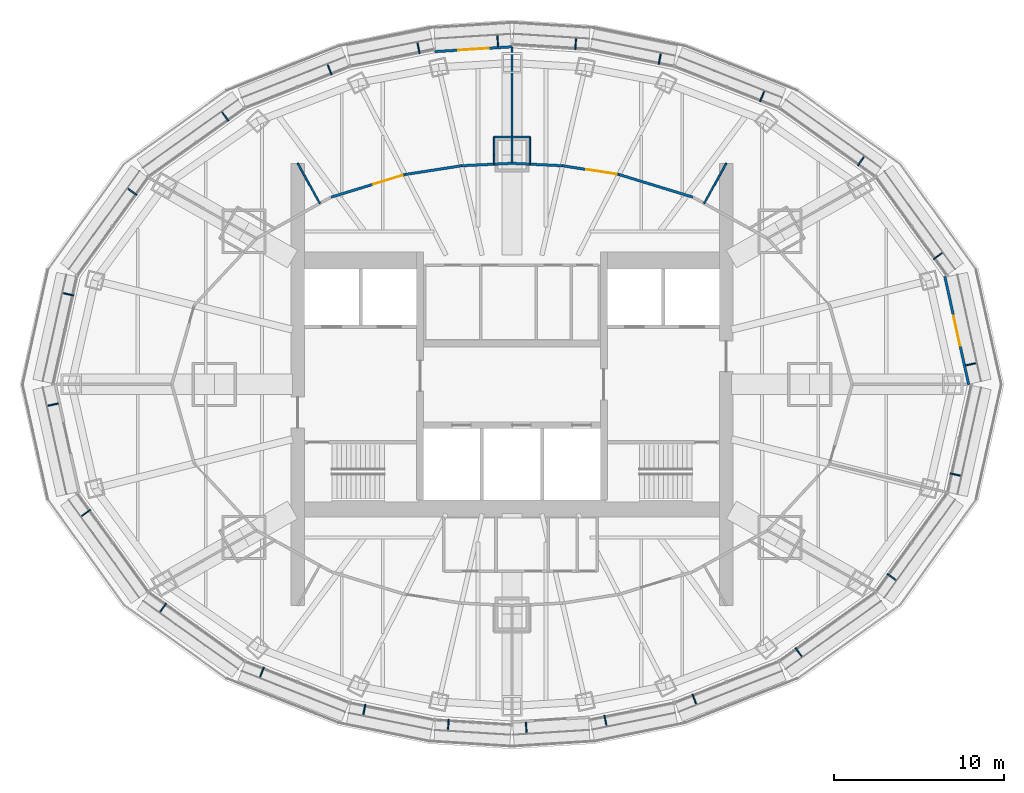
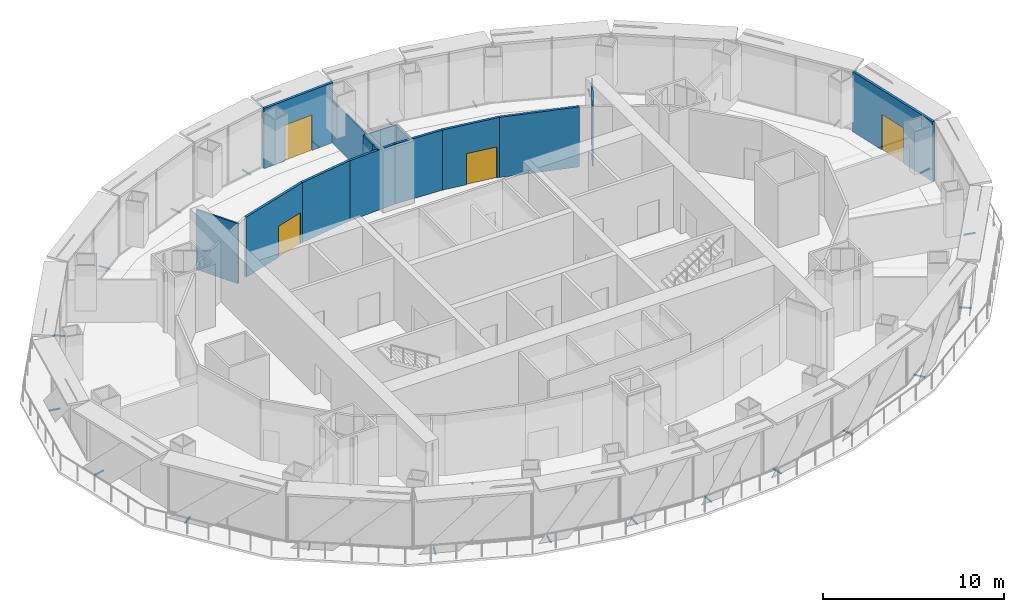
# One storey, part 13 of 17: 24 discrete accessories, 16 walls, 4 doors, 4 openings.
"""IFC4 building model written with IfcOpenShell, lengths in metres."""

import ifcopenshell
import ifcopenshell.guid

model = None  # the IFC model being written
_history = None  # IfcOwnerHistory: only IFC2X3 demands one
_inside = {}  # id of a spatial element -> (the spatial element, [elements in it])
_under = {}  # id of a project, library or spatial element -> (it, [spatial elements below it])
_declared = {}  # id of a project -> (the project, [libraries it declares])
_typed = {}  # id of a type object -> (the type object, [elements of that type])
_made_of = {}  # id of a material, layer set ... -> (it, [elements and type objects made of it])


def new_model(schema):
    """Start an empty IFC model of exactly this schema.

    Asked for "IFC4X3", IfcOpenShell would pick the latest addendum, in which some entities
    have other attributes; the version numbers below select the first issue.
    IFC2X3 requires an IfcOwnerHistory on every rooted entity: one is made here for all.
    """
    global model, _history
    if schema == "IFC4X3":
        model = ifcopenshell.file(schema_version=(4, 3, 0, 0))
    else:
        model = ifcopenshell.file(schema=schema)
    _inside.clear()
    _under.clear()
    _declared.clear()
    _typed.clear()
    _made_of.clear()
    _history = None
    if model.schema == "IFC2X3":
        org = make("IfcOrganization", Name="unknown")
        user = make(
            "IfcPersonAndOrganization",
            ThePerson=make("IfcPerson", FamilyName="unknown"),
            TheOrganization=org,
        )
        app = make(
            "IfcApplication",
            ApplicationDeveloper=org,
            Version="unknown",
            ApplicationFullName="unknown",
            ApplicationIdentifier="unknown",
        )
        _history = make(
            "IfcOwnerHistory",
            OwningUser=user,
            OwningApplication=app,
            ChangeAction="ADDED",
            CreationDate=0,
        )
    return model


def make(cls, **values):
    """One entity of the class cls with the attributes given. An attribute that is None is left unset."""
    return model.create_entity(
        cls, **{name: value for name, value in values.items() if value is not None}
    )


def rooted(cls, **values):
    """An entity with a GlobalId (a new one), such as an element, a storey or a relation."""
    return make(cls, GlobalId=ifcopenshell.guid.new(), OwnerHistory=_history, **values)


def si_unit(unit_type, name, prefix=None):
    """IfcSIUnit, for example si_unit("LENGTHUNIT", "METRE", prefix="MILLI")."""
    return make("IfcSIUnit", UnitType=unit_type, Prefix=prefix, Name=name)


def assignment(units):
    """IfcUnitAssignment: the units of a project."""
    return None if units is None else make("IfcUnitAssignment", Units=units)


def point(xyz):
    """IfcCartesianPoint."""
    return None if xyz is None else make("IfcCartesianPoint", Coordinates=xyz)


def direction(xyz):
    """IfcDirection."""
    return None if xyz is None else make("IfcDirection", DirectionRatios=xyz)


def frame(location, z_axis=None, x_axis=None):
    """IfcAxis2Placement3D, a coordinate frame: its origin and axes. An axis left out is left unset."""
    return make(
        "IfcAxis2Placement3D",
        Location=point(location),
        Axis=direction(z_axis),
        RefDirection=direction(x_axis),
    )


def frame_2d(location, x_axis=None):
    """IfcAxis2Placement2D, a coordinate frame in the plane: its origin and x axis."""
    return make(
        "IfcAxis2Placement2D", Location=point(location), RefDirection=direction(x_axis)
    )


def origin():
    """The frame at (0, 0, 0) with its axes left unset."""
    return frame((0.0, 0.0, 0.0))


def origin_2d():
    """The frame at (0, 0) in the plane with its x axis left unset."""
    return frame_2d((0.0, 0.0))


def place(relative_to, where):
    """IfcLocalPlacement: puts the frame where relative to a parent placement (None: the world)."""
    return make(
        "IfcLocalPlacement", PlacementRelTo=relative_to, RelativePlacement=where
    )


def context(
    kind, dimensions, precision=None, world=None, true_north=None, identifier=None
):
    """IfcGeometricRepresentationContext, for example the 3D "Model" context."""
    return make(
        "IfcGeometricRepresentationContext",
        ContextIdentifier=identifier,
        ContextType=kind,
        CoordinateSpaceDimension=dimensions,
        Precision=precision,
        WorldCoordinateSystem=world,
        TrueNorth=true_north,
    )


def subcontext(parent, identifier, kind, view, scale=None):
    """IfcGeometricRepresentationSubContext, for example "Body" below "Model"."""
    return make(
        "IfcGeometricRepresentationSubContext",
        ContextIdentifier=identifier,
        ContextType=kind,
        ParentContext=parent,
        TargetScale=scale,
        TargetView=view,
    )


def project(units=None, contexts=None):
    """IfcProject with its units and contexts."""
    return rooted(
        "IfcProject",
        Name="project",
        RepresentationContexts=contexts,
        UnitsInContext=assignment(units),
    )


def spatial(cls, under=None, at=None, **own):
    """A site, building, storey or space (cls), placed at a placement, below another one or the project."""
    s = rooted(cls, ObjectPlacement=at, **own)
    if under is not None:
        _under.setdefault(under.id(), (under, []))[1].append(s)
    return s


def profile(cls, at=None, kind="AREA", **sizes):
    """A parametric profile (cls). Its sizes go by their IFC names, for example OverallWidth=200.0."""
    return make(cls, ProfileType=kind, Position=at, **sizes)


def rectangle(**sizes):
    """IfcRectangleProfileDef."""
    return profile("IfcRectangleProfileDef", **sizes)


def extrude(swept, where, along, depth):
    """IfcExtrudedAreaSolid: the profile swept, set in the frame where, extruded along a direction by depth."""
    return make(
        "IfcExtrudedAreaSolid",
        SweptArea=swept,
        Position=where,
        ExtrudedDirection=direction(along),
        Depth=depth,
    )


def shape(context_of_items, identifier, shape_type, items):
    """IfcShapeRepresentation: the items that make up one representation, for example the "Body"."""
    return make(
        "IfcShapeRepresentation",
        ContextOfItems=context_of_items,
        RepresentationIdentifier=identifier,
        RepresentationType=shape_type,
        Items=items,
    )


def material(Name=None, Category=None):
    """IfcMaterial."""
    return make("IfcMaterial", Name=Name, Category=Category)


def layer(
    of_material, thickness, ventilated=None, Name=None, Category=None, Priority=None
):
    """IfcMaterialLayer: one layer of a wall or slab, of a material (None: an air gap)."""
    return make(
        "IfcMaterialLayer",
        Material=of_material,
        LayerThickness=thickness,
        IsVentilated=ventilated,
        Name=Name,
        Category=Category,
        Priority=Priority,
    )


def layer_set(layers, Name=None):
    """IfcMaterialLayerSet."""
    return make("IfcMaterialLayerSet", MaterialLayers=layers, LayerSetName=Name)


def made_of(thing, what):
    """Note that an element or type object is made of a material, layer set ...; save() writes the relation."""
    if what is not None:
        _made_of.setdefault(what.id(), (what, []))[1].append(thing)
    return thing


def type_object(cls, material=None, **own):
    """A type object (cls), such as IfcWallType, which elements share."""
    return made_of(rooted(cls, **own), material)


def element(
    cls,
    number,
    at=None,
    inside=None,
    cuts=None,
    type_object=None,
    material=None,
    context=None,
    identifier="Body",
    shape_type=None,
    held_by="IfcProductDefinitionShape",
    body=None,
    shapes=None,
    **own,
):
    """One element of the class cls, such as IfcWall. Its Tag is "e" and its number.

    at: its placement. inside: the storey or other place that contains it. cuts: it is an
    opening in that element (IfcRelVoidsElement). A single representation is given by context,
    identifier, shape_type and body (its items); several are given by shapes. held_by: the class
    of the entity that holds the representations. save() writes the other relations.
    """
    e = rooted(cls, Tag="e%d" % number, ObjectPlacement=at, **own)
    if body is not None:
        shapes = [shape(context, identifier, shape_type, body)]
    if shapes is not None:
        e.Representation = make(held_by, Representations=shapes)
    if inside is not None:
        _inside.setdefault(inside.id(), (inside, []))[1].append(e)
    if cuts is not None:
        rooted(
            "IfcRelVoidsElement", RelatingBuildingElement=cuts, RelatedOpeningElement=e
        )
    if type_object is not None:
        _typed.setdefault(type_object.id(), (type_object, []))[1].append(e)
    return made_of(e, material)


def fill(opening, filler):
    """IfcRelFillsElement: the door or window that sits in an opening."""
    return rooted(
        "IfcRelFillsElement",
        RelatingOpeningElement=opening,
        RelatedBuildingElement=filler,
    )


def aggregate(whole, parts):
    """IfcRelAggregates: a whole, such as a stair, and the parts it consists of."""
    return rooted("IfcRelAggregates", RelatingObject=whole, RelatedObjects=parts)


def save(model, path):
    """Write the relations noted so far, then the file.

    IfcRelAggregates (storeys below a building ...), IfcRelContainedInSpatialStructure (elements
    in a storey), IfcRelDefinesByType, IfcRelAssociatesMaterial and IfcRelDeclares: one each for
    every whole, place, type object, material and project.
    """
    for whole, parts in _under.values():
        aggregate(whole, parts)
    for where, things in _inside.values():
        rooted(
            "IfcRelContainedInSpatialStructure",
            RelatedElements=things,
            RelatingStructure=where,
        )
    for kind, things in _typed.values():
        rooted("IfcRelDefinesByType", RelatedObjects=things, RelatingType=kind)
    for what, things in _made_of.values():
        rooted("IfcRelAssociatesMaterial", RelatedObjects=things, RelatingMaterial=what)
    for by, libraries in _declared.values():
        rooted("IfcRelDeclares", RelatingContext=by, RelatedDefinitions=libraries)
    model.write(path)


model = new_model("IFC4")

# Units and contexts
model_context = context("Model", 3, precision=1e-05, world=origin(), true_north=direction((0.0, 1.0)))
body_context = subcontext(model_context, "Body", "Model", "MODEL_VIEW")
ifc_project = project(units=[si_unit("LENGTHUNIT", "METRE"), si_unit("AREAUNIT", "SQUARE_METRE"), si_unit("VOLUMEUNIT", "CUBIC_METRE"), si_unit("PLANEANGLEUNIT", "RADIAN"), si_unit("MASSUNIT", "GRAM", prefix="KILO")], contexts=[model_context])

# Site, building, storey
site_placement = place(None, origin())
site = spatial("IfcSite", under=ifc_project, at=site_placement, CompositionType="ELEMENT")
building_placement = place(site_placement, origin())
building = spatial("IfcBuilding", under=site, at=building_placement, Name="Lantaw Convention Tower", CompositionType="ELEMENT")
storey_placement = place(building_placement, frame((0.0, 0.0, 199.0)))
storey = spatial("IfcBuildingStorey", under=building, at=storey_placement, Name="L46", CompositionType="ELEMENT", Elevation=199.0)

# Walls
ifc_material_1 = material(Name="Fire-rated board casing on steel studs", Category="steel")
ifc_layer_1 = layer(ifc_material_1, 0.10009765625)
ifc_layer_set_1 = layer_set([ifc_layer_1], Name="Casing wall 100 EI 120")
wall_type_1 = type_object("IfcWallType", Name="Casing wall 100 EI 120", PredefinedType="PARTITIONING", material=ifc_layer_set_1)
wall_1_placement = place(storey_placement, frame((-1.050048828125, 12.948974609375, 0.0), z_axis=(0.0, 0.0, 1.0), x_axis=(0.0, 1.0, 0.0)))
element("IfcWall", 1, at=wall_1_placement, inside=storey, type_object=wall_type_1, Name="Casing wall 100", PredefinedType="PARTITIONING", context=body_context, shape_type="SweptSolid", body=[
    extrude(rectangle(XDim=0.551025390625, YDim=0.10009765625, at=frame_2d((0.275390625, 0.0))), origin(), (0.0, 0.0, 1.0), 4.050048828125),
])
for number, where, z_axis, x_axis, name in (
    (2, (-1.050048828125, 13.5, 0.0), (0.0, 0.0, 1.0), (0.0, 1.0, 0.0), "Casing wall 100"),
    (3, (-1.050048828125, 14.550048828125, 0.0), (0.0, 0.0, 1.0), (1.0, 0.0, 0.0), "Casing wall 100"),
    (4, (0.0, 14.550048828125, 0.0), (0.0, 0.0, 1.0), (1.0, 0.0, 0.0), "Casing wall 100"),
):
    element("IfcWall", number, at=place(storey_placement, frame(where, z_axis=z_axis, x_axis=x_axis)), inside=storey, type_object=wall_type_1, Name=name, PredefinedType="PARTITIONING", context=body_context, shape_type="SweptSolid", body=[
        extrude(rectangle(XDim=1.050048828125, YDim=0.10009765625, at=frame_2d((0.52490234375, 0.0))), origin(), (0.0, 0.0, 1.0), 4.050048828125),
    ])
wall_2_placement = place(storey_placement, frame((1.050048828125, 14.550048828125, 0.0), z_axis=(0.0, 0.0, 1.0), x_axis=(0.0, -1.0, 0.0)))
element("IfcWall", 5, at=wall_2_placement, inside=storey, type_object=wall_type_1, Name="Casing wall 100", PredefinedType="PARTITIONING", context=body_context, shape_type="SweptSolid", body=[
    extrude(rectangle(XDim=1.60107421875, YDim=0.10009765625, at=frame_2d((0.800537109375, 0.0))), origin(), (0.0, 0.0, 1.0), 4.050048828125),
])
ifc_material_2 = material(Name="Gypsum board on steel studs, fire rated", Category="steel")
ifc_layer_2 = layer(ifc_material_2, 0.14990234375)
ifc_layer_set_2 = layer_set([ifc_layer_2], Name="Corridor wall 150 EI 60")
wall_type_2 = type_object("IfcWallType", Name="Corridor wall 150 EI 60", PredefinedType="PARTITIONING", material=ifc_layer_set_2)
wall_3_placement = place(storey_placement, frame((10.6328125, 11.010498046875, 0.0), z_axis=(0.0, 0.0, 1.0), x_axis=(-0.956185837153, 0.292760388079, 0.0)))
element("IfcWall", 6, at=wall_3_placement, inside=storey, type_object=wall_type_2, Name="Corridor wall 150", PredefinedType="PARTITIONING", context=body_context, shape_type="SweptSolid", body=[
    extrude(rectangle(XDim=4.5439453125, YDim=0.14990234375, at=frame_2d((2.27197265625, 0.0))), origin(), (0.0, 0.0, 1.0), 4.050048828125),
])

# Wall, opening, door
wall_4_placement = place(storey_placement, frame((6.287841796875, 12.3408203125, 0.0), z_axis=(0.0, 0.0, 1.0), x_axis=(-0.988174283057, 0.153334882869, 0.0)))
wall_4 = element("IfcWall", 7, at=wall_4_placement, inside=storey, type_object=wall_type_2, Name="Corridor wall 150", PredefinedType="PARTITIONING", context=body_context, shape_type="SweptSolid", body=[
    extrude(rectangle(XDim=3.359619140625, YDim=0.14990234375, at=frame_2d((1.6796875, 0.0))), origin(), (0.0, 0.0, 1.0), 4.050048828125),
])
opening_1_placement = place(wall_4_placement, frame((0.14990234375, 0.0, 0.0)))
opening_1 = element("IfcOpeningElement", 8, at=opening_1_placement, cuts=wall_4, Name="Opening L46.23", PredefinedType="OPENING", context=body_context, shape_type="SweptSolid", body=[
    extrude(rectangle(XDim=1.800048828125, YDim=2.10009765625, at=frame_2d((0.89990234375, 1.050048828125))), frame((0.0, 0.0849609375, 0.0), z_axis=(0.0, -1.0, 0.0), x_axis=(1.0, 0.0, 0.0)), (0.0, 0.0, 1.0), 0.169921875),
])
ifc_material_3 = material(Name="Steel, fire rated", Category="steel")
door_type_1 = type_object("IfcDoorType", Name="Office double door 1800 FD30", OperationType="DOUBLE_DOOR_DOUBLE_SWING", PredefinedType="DOOR", material=ifc_material_3)
door_1_placement = place(opening_1_placement, origin())
door_1 = element("IfcDoor", 9, at=door_1_placement, inside=storey, type_object=door_type_1, Name="Open office door", OperationType="DOUBLE_DOOR_DOUBLE_SWING", OverallHeight=2.10009765625, OverallWidth=1.800048828125, PredefinedType="DOOR", context=body_context, shape_type="SweptSolid", body=[
    extrude(rectangle(XDim=1.800048828125, YDim=2.10009765625, at=frame_2d((0.89990234375, 1.050048828125))), frame((0.0, 0.02490234375, 0.0), z_axis=(0.0, -1.0, 0.0), x_axis=(1.0, 0.0, 0.0)), (0.0, 0.0, 1.0), 0.050048828125),
])
fill(opening_1, door_1)

# Walls
for number, where, z_axis, x_axis, name in (
    (10, (2.968017578125, 12.85595703125, 0.0), (0.0, 0.0, 1.0), (-0.998824412818, 0.04847465687, 0.0), "Corridor wall 150"),
    (11, (0.0, 13.0, 0.0), (0.0, 0.0, 1.0), (-0.998824412818, -0.04847465687, 0.0), "Corridor wall 150"),
):
    element("IfcWall", number, at=place(storey_placement, frame(where, z_axis=z_axis, x_axis=x_axis)), inside=storey, type_object=wall_type_2, Name=name, PredefinedType="PARTITIONING", context=body_context, shape_type="SweptSolid", body=[
        extrude(rectangle(XDim=2.971435546875, YDim=0.14990234375, at=frame_2d((1.48583984375, 0.0))), origin(), (0.0, 0.0, 1.0), 4.050048828125),
    ])
wall_5_placement = place(storey_placement, frame((-2.968017578125, 12.85595703125, 0.0), z_axis=(0.0, 0.0, 1.0), x_axis=(-0.988174283057, -0.153334882869, 0.0)))
element("IfcWall", 12, at=wall_5_placement, inside=storey, type_object=wall_type_2, Name="Corridor wall 150", PredefinedType="PARTITIONING", context=body_context, shape_type="SweptSolid", body=[
    extrude(rectangle(XDim=3.359619140625, YDim=0.14990234375, at=frame_2d((1.6796875, 0.0))), origin(), (0.0, 0.0, 1.0), 4.050048828125),
])

# Wall, opening, door
wall_6_placement = place(storey_placement, frame((-6.287841796875, 12.3408203125, 0.0), z_axis=(0.0, 0.0, 1.0), x_axis=(-0.956185837153, -0.292760388079, 0.0)))
wall_6 = element("IfcWall", 13, at=wall_6_placement, inside=storey, type_object=wall_type_2, Name="Corridor wall 150", PredefinedType="PARTITIONING", context=body_context, shape_type="SweptSolid", body=[
    extrude(rectangle(XDim=4.5439453125, YDim=0.14990234375, at=frame_2d((2.27197265625, 0.0))), origin(), (0.0, 0.0, 1.0), 4.050048828125),
])
opening_2_placement = place(wall_6_placement, frame((0.14990234375, 0.0, 0.0)))
opening_2 = element("IfcOpeningElement", 14, at=opening_2_placement, cuts=wall_6, Name="Opening L46.24", PredefinedType="OPENING", context=body_context, shape_type="SweptSolid", body=[
    extrude(rectangle(XDim=1.800048828125, YDim=2.10009765625, at=frame_2d((0.89990234375, 1.050048828125))), frame((0.0, 0.0849609375, 0.0), z_axis=(0.0, -1.0, 0.0), x_axis=(1.0, 0.0, 0.0)), (0.0, 0.0, 1.0), 0.169921875),
])
door_2_placement = place(opening_2_placement, origin())
door_2 = element("IfcDoor", 15, at=door_2_placement, inside=storey, type_object=door_type_1, Name="Open office door", OperationType="DOUBLE_DOOR_DOUBLE_SWING", OverallHeight=2.10009765625, OverallWidth=1.800048828125, PredefinedType="DOOR", context=body_context, shape_type="SweptSolid", body=[
    extrude(rectangle(XDim=1.800048828125, YDim=2.10009765625, at=frame_2d((0.89990234375, 1.050048828125))), frame((0.0, 0.02490234375, 0.0), z_axis=(0.0, -1.0, 0.0), x_axis=(1.0, 0.0, 0.0)), (0.0, 0.0, 1.0), 0.050048828125),
])
fill(opening_2, door_2)

ifc_material_4 = material(Name="Aluminium framed glazing", Category="aluminium")
ifc_layer_3 = layer(ifc_material_4, 0.14990234375)
ifc_layer_set_3 = layer_set([ifc_layer_3], Name="Glazed entrance screen 150")
wall_type_3 = type_object("IfcWallType", Name="Glazed entrance screen 150", PredefinedType="ELEMENTEDWALL", material=ifc_layer_set_3)
wall_7_placement = place(storey_placement, frame((26.853515625, -0.032470703125, 0.0), z_axis=(0.0, 0.0, 1.0), x_axis=(-0.215885915817, 0.976418594329, 0.0)))
wall_7 = element("IfcWall", 16, at=wall_7_placement, inside=storey, type_object=wall_type_3, Name="Glazed entrance screen", PredefinedType="ELEMENTEDWALL", context=body_context, shape_type="SweptSolid", body=[
    extrude(rectangle(XDim=6.5341796875, YDim=0.14990234375, at=frame_2d((3.26708984375, 0.0))), origin(), (0.0, 0.0, 1.0), 4.050048828125),
])
opening_3_placement = place(wall_7_placement, frame((2.3671875, 0.0, 0.0)))
opening_3 = element("IfcOpeningElement", 17, at=opening_3_placement, cuts=wall_7, Name="Opening L46.E00", PredefinedType="OPENING", context=body_context, shape_type="SweptSolid", body=[
    extrude(rectangle(XDim=1.800048828125, YDim=2.39990234375, at=frame_2d((0.89990234375, 1.199951171875))), frame((0.0, 0.0849609375, 0.0), z_axis=(0.0, -1.0, 0.0), x_axis=(1.0, 0.0, 0.0)), (0.0, 0.0, 1.0), 0.169921875),
])
ifc_material_5 = material(Name="Aluminium and glass", Category="aluminium")
door_type_2 = type_object("IfcDoorType", Name="Terrace door 1800", OperationType="DOUBLE_DOOR_DOUBLE_SWING", PredefinedType="DOOR", material=ifc_material_5)
door_3_placement = place(opening_3_placement, origin())
door_3 = element("IfcDoor", 18, at=door_3_placement, inside=storey, type_object=door_type_2, Name="Terrace door", OperationType="DOUBLE_DOOR_DOUBLE_SWING", OverallHeight=2.39990234375, OverallWidth=1.800048828125, PredefinedType="DOOR", context=body_context, shape_type="SweptSolid", body=[
    extrude(rectangle(XDim=1.800048828125, YDim=2.39990234375, at=frame_2d((0.89990234375, 1.199951171875))), frame((0.0, 0.02490234375, 0.0), z_axis=(0.0, -1.0, 0.0), x_axis=(1.0, 0.0, 0.0)), (0.0, 0.0, 1.0), 0.050048828125),
])
fill(opening_3, door_3)

wall_8_placement = place(storey_placement, frame((0.009521484375, 19.850341796875, 0.0), z_axis=(0.0, 0.0, 1.0), x_axis=(-0.99802980739, -0.062741561673, 0.0)))
wall_8 = element("IfcWall", 19, at=wall_8_placement, inside=storey, type_object=wall_type_3, Name="Glazed entrance screen", PredefinedType="ELEMENTEDWALL", context=body_context, shape_type="SweptSolid", body=[
    extrude(rectangle(XDim=4.560546875, YDim=0.14990234375, at=frame_2d((2.2802734375, 0.0))), origin(), (0.0, 0.0, 1.0), 4.050048828125),
])
opening_4_placement = place(wall_8_placement, frame((1.380126953125, 0.0, 0.0)))
opening_4 = element("IfcOpeningElement", 20, at=opening_4_placement, cuts=wall_8, Name="Opening L46.E06", PredefinedType="OPENING", context=body_context, shape_type="SweptSolid", body=[
    extrude(rectangle(XDim=1.800048828125, YDim=2.39990234375, at=frame_2d((0.89990234375, 1.199951171875))), frame((0.0, 0.0849609375, 0.0), z_axis=(0.0, -1.0, 0.0), x_axis=(1.0, 0.0, 0.0)), (0.0, 0.0, 1.0), 0.169921875),
])
door_4_placement = place(opening_4_placement, origin())
door_4 = element("IfcDoor", 21, at=door_4_placement, inside=storey, type_object=door_type_2, Name="Terrace door", OperationType="DOUBLE_DOOR_DOUBLE_SWING", OverallHeight=2.39990234375, OverallWidth=1.800048828125, PredefinedType="DOOR", context=body_context, shape_type="SweptSolid", body=[
    extrude(rectangle(XDim=1.800048828125, YDim=2.39990234375, at=frame_2d((0.89990234375, 1.199951171875))), frame((0.0, 0.02490234375, 0.0), z_axis=(0.0, -1.0, 0.0), x_axis=(1.0, 0.0, 0.0)), (0.0, 0.0, 1.0), 0.050048828125),
])
fill(opening_4, door_4)

# Walls
ifc_material_6 = material(Name="Gypsum board on steel studs, acoustic", Category="steel")
ifc_layer_4 = layer(ifc_material_6, 0.10009765625)
ifc_layer_set_4 = layer_set([ifc_layer_4], Name="Office partition 100")
wall_type_4 = type_object("IfcWallType", Name="Office partition 100", PredefinedType="PARTITIONING", material=ifc_layer_set_4)
wall_9_placement = place(storey_placement, frame((0.0, 19.82470703125, 0.0), z_axis=(0.0, 0.0, 1.0), x_axis=(0.0, -1.0, 0.0)))
element("IfcWall", 22, at=wall_9_placement, inside=storey, type_object=wall_type_4, Name="Office partition 100", PredefinedType="PARTITIONING", context=body_context, shape_type="SweptSolid", body=[
    extrude(rectangle(XDim=6.82470703125, YDim=0.10009765625, at=frame_2d((3.412353515625, 0.0))), origin(), (0.0, 0.0, 1.0), 2.85009765625),
])
for number, where, z_axis, x_axis, name in (
    (23, (12.60009765625, 13.0, 0.0), (0.0, 0.0, 1.0), (-0.484102737563, -0.875011165348, 0.0), "Office partition 100"),
    (24, (-12.60009765625, 13.0, 0.0), (0.0, 0.0, 1.0), (0.484102737563, -0.875011165348, 0.0), "Office partition 100"),
):
    element("IfcWall", number, at=place(storey_placement, frame(where, z_axis=z_axis, x_axis=x_axis)), inside=storey, type_object=wall_type_4, Name=name, PredefinedType="PARTITIONING", context=body_context, shape_type="SweptSolid", body=[
        extrude(rectangle(XDim=2.693115234375, YDim=0.10009765625, at=frame_2d((1.3466796875, 0.0))), origin(), (0.0, 0.0, 1.0), 4.050048828125),
    ])

# Discrete accessories
for number, where, z_axis, x_axis, name in (
    (25, (27.002197265625, 1.189453125, -0.114990234375), (0.0, 0.0, 1.0), (-0.215891333626, 0.976417396437, 0.0), "Screen bracket"),
    (26, (25.05419921875, 7.564453125, -0.114990234375), (0.0, 0.0, 1.0), (-0.585157643865, 0.810919559405, 0.0), "Screen bracket"),
    (27, (20.524169921875, 13.14453125, -0.114990234375), (0.0, 0.0, 1.0), (-0.813672540482, 0.581323487281, 0.0), "Screen bracket"),
    (28, (14.707763671875, 16.94140625, -0.114990234375), (0.0, 0.0, 1.0), (-0.929761533743, 0.368162315252, 0.0), "Screen bracket"),
    (29, (8.68896484375, 19.145751953125, -0.114990234375), (0.0, 0.0, 1.0), (-0.980366679695, 0.197183095987, 0.0), "Screen bracket"),
    (30, (3.743896484375, 20.024169921875, -0.114990234375), (0.0, 0.0, 1.0), (-0.998028774865, 0.062757983884, 0.0), "Screen bracket"),
    (31, (-0.83984375, 20.206787109375, -0.114990234375), (0.0, 0.0, 1.0), (-0.998028774865, -0.062757983884, 0.0), "Screen bracket"),
    (32, (-5.49853515625, 19.78759765625, -0.114990234375), (0.0, 0.0, 1.0), (-0.980366679695, -0.197183095987, 0.0), "Screen bracket"),
    (33, (-10.7255859375, 18.518310546875, -0.114990234375), (0.0, 0.0, 1.0), (-0.929761533743, -0.368162315252, 0.0), "Screen bracket"),
    (34, (-16.863525390625, 15.759765625, -0.114990234375), (0.0, 0.0, 1.0), (-0.813672540482, -0.581323487281, 0.0), "Screen bracket"),
    (35, (-22.333251953125, 11.3349609375, -0.114990234375), (0.0, 0.0, 1.0), (-0.585157643865, -0.810919559405, 0.0), "Screen bracket"),
    (36, (-26.0927734375, 5.302490234375, -0.114990234375), (0.0, 0.0, 1.0), (-0.215891333626, -0.976417396437, 0.0), "Screen bracket"),
    (37, (-27.002197265625, -1.189453125, -0.114990234375), (0.0, 0.0, 1.0), (0.215891333626, -0.976417396437, 0.0), "Screen bracket"),
    (38, (-25.05419921875, -7.564453125, -0.114990234375), (0.0, 0.0, 1.0), (0.585157643865, -0.810919559405, 0.0), "Screen bracket"),
    (39, (-20.524169921875, -13.14453125, -0.114990234375), (0.0, 0.0, 1.0), (0.813672540482, -0.581323487281, 0.0), "Screen bracket"),
    (40, (-14.707763671875, -16.94140625, -0.114990234375), (0.0, 0.0, 1.0), (0.929761533743, -0.368162315252, 0.0), "Screen bracket"),
    (41, (-8.68896484375, -19.145751953125, -0.114990234375), (0.0, 0.0, 1.0), (0.980366679695, -0.197183095987, 0.0), "Screen bracket"),
    (42, (-3.743896484375, -20.024169921875, -0.114990234375), (0.0, 0.0, 1.0), (0.998028774865, -0.062757983884, 0.0), "Screen bracket"),
    (43, (0.83984375, -20.206787109375, -0.114990234375), (0.0, 0.0, 1.0), (0.998028774865, 0.062757983884, 0.0), "Screen bracket"),
    (44, (5.49853515625, -19.78759765625, -0.114990234375), (0.0, 0.0, 1.0), (0.980366679695, 0.197183095987, 0.0), "Screen bracket"),
    (45, (10.7255859375, -18.518310546875, -0.114990234375), (0.0, 0.0, 1.0), (0.929761533743, 0.368162315252, 0.0), "Screen bracket"),
    (46, (16.863525390625, -15.759765625, -0.114990234375), (0.0, 0.0, 1.0), (0.813672540482, 0.581323487281, 0.0), "Screen bracket"),
    (47, (22.333251953125, -11.3349609375, -0.114990234375), (0.0, 0.0, 1.0), (0.585157643865, 0.810919559405, 0.0), "Screen bracket"),
    (48, (26.0927734375, -5.302490234375, -0.114990234375), (0.0, 0.0, 1.0), (0.215891333626, 0.976417396437, 0.0), "Screen bracket"),
):
    element("IfcDiscreteAccessory", number, at=place(storey_placement, frame(where, z_axis=z_axis, x_axis=x_axis)), inside=storey, Name=name, PredefinedType="BRACKET", context=body_context, shape_type="SweptSolid", body=[
        extrude(rectangle(XDim=0.080078125, YDim=0.68798828125, at=origin_2d()), origin(), (0.0, 0.0, 1.0), 0.080078125),
    ])

save(model, "model.ifc")
